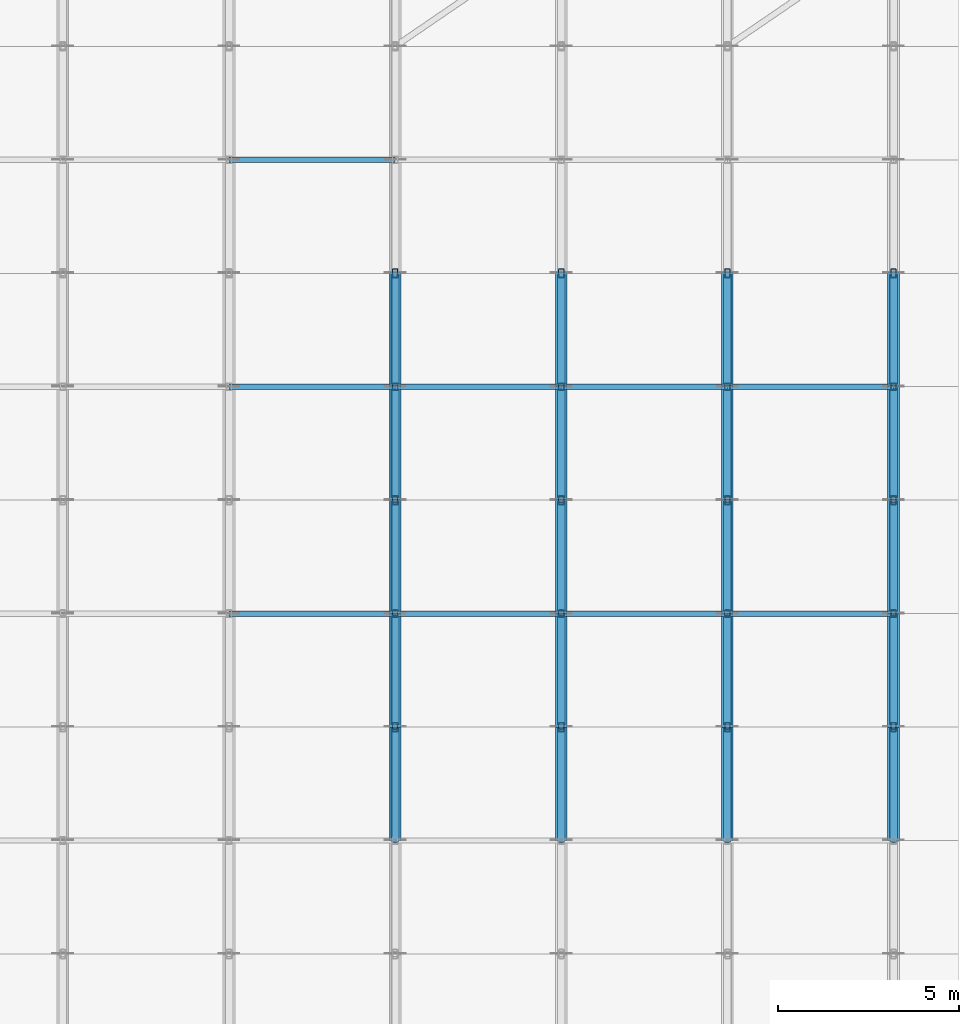
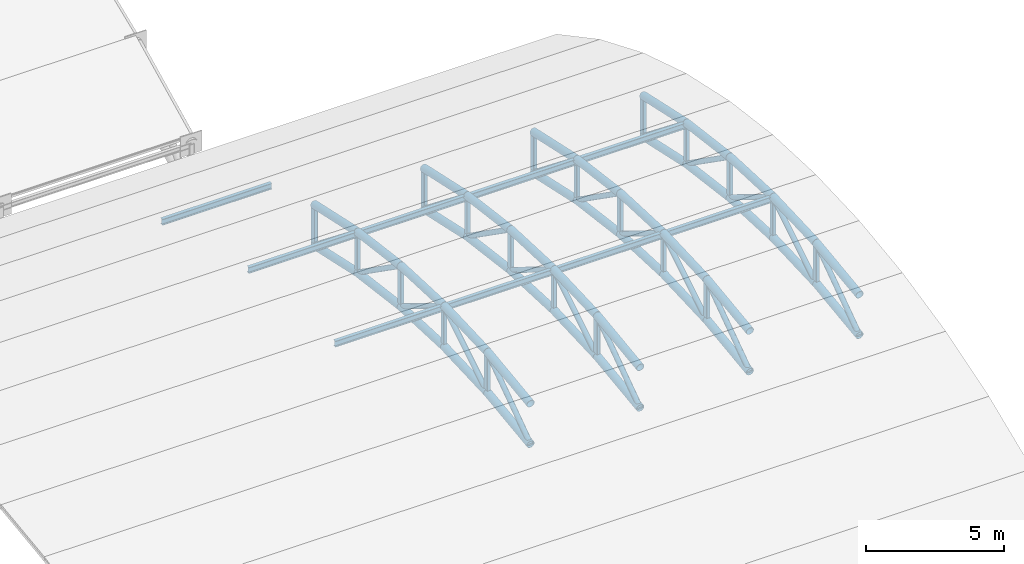
# One storey, part 44 of 98: 89 members.
"""IFC4 building model written with IfcOpenShell, lengths in metres."""

from ifc_helpers import new_model, si_unit, direction, frame, origin, origin_2d, place, context, subcontext, project, spatial, hollow_rectangle, hollow_circle, i_section, extrude, material, material_profile, profile_set, type_object, element, save


model = new_model("IFC4")

# Units and contexts
model_context = context("Model", 3, precision=1e-05, world=origin(), true_north=direction((0.0, 1.0)))
body_context = subcontext(model_context, "Body", "Model", "MODEL_VIEW")
ifc_project = project(units=[si_unit("LENGTHUNIT", "METRE"), si_unit("AREAUNIT", "SQUARE_METRE"), si_unit("VOLUMEUNIT", "CUBIC_METRE"), si_unit("PLANEANGLEUNIT", "RADIAN"), si_unit("MASSUNIT", "GRAM", prefix="KILO")], contexts=[model_context])

# Site, building, storey
site_placement = place(None, origin())
site = spatial("IfcSite", under=ifc_project, at=site_placement, CompositionType="ELEMENT")
building_placement = place(site_placement, origin())
building = spatial("IfcBuilding", under=site, at=building_placement, Name="Tlacozan Convention Centre", CompositionType="ELEMENT")
storey_placement = place(building_placement, frame((0.0, 0.0, 25.800048828125)))
storey = spatial("IfcBuildingStorey", under=building, at=storey_placement, Name="Roof", CompositionType="ELEMENT", Elevation=25.800048828125)

# Members
ifc_material_1 = material(Name="Steel ASTM A992 Grade 50", Category="steel")
ifc_material_profile_1 = material_profile(ifc_material_1, i_section(OverallWidth=0.14697265625, OverallDepth=0.261962890625, WebThickness=0.006591796875, FlangeThickness=0.01123046875, FilletRadius=0.008056640625, at=origin_2d()), Name="IR 254x38.5")
ifc_profile_set_1 = profile_set([ifc_material_profile_1], Name="Steel ASTM A992 Grade 50")
member_type_1 = type_object("IfcMemberType", Name="Plenary Acoustic Purlin IR 254x38.5", PredefinedType="PURLIN", material=ifc_profile_set_1)
for number, where, z_axis, x_axis, name in (
    (1, (159.800048828125, 37.35009765625, -1.6650390625), (1.0, 0.0, 0.0), (0.0, 1.0, 0.0), "V3A Roof Truss Purlin 4.7"),
    (2, (159.800048828125, 43.63330078125, -2.2060546875), (1.0, 0.0, 0.0), (0.0, 1.0, 0.0), "V3A Roof Truss Purlin 4.9"),
    (3, (159.800048828125, 49.916748046875, -3.87939453125), (1.0, 0.0, 0.0), (0.0, 1.0, 0.0), "V3A Roof Truss Purlin 4.11"),
):
    element("IfcMember", number, at=place(storey_placement, frame(where, z_axis=z_axis, x_axis=x_axis)), inside=storey, type_object=member_type_1, Name=name, PredefinedType="PURLIN", context=body_context, shape_type="SweptSolid", body=[
        extrude(i_section(OverallWidth=0.14697265625, OverallDepth=0.261962890625, WebThickness=0.006591796875, FlangeThickness=0.01123046875, FilletRadius=0.008056640625, at=origin_2d()), origin(), (0.0, 0.0, 1.0), 4.599853515625),
    ])
for number, where, z_axis, x_axis, name in (
    (4, (164.39990234375, 37.35009765625, -1.6650390625), (1.0, 0.0, 0.0), (0.0, 1.0, 0.0), "V3A Roof Truss Purlin 5.7"),
    (5, (164.39990234375, 43.63330078125, -2.2060546875), (1.0, 0.0, 0.0), (0.0, 1.0, 0.0), "V3A Roof Truss Purlin 5.9"),
    (6, (169.0, 37.35009765625, -1.6650390625), (1.0, 0.0, 0.0), (0.0, 1.0, 0.0), "V3A Roof Truss Purlin 6.7"),
    (7, (169.0, 43.63330078125, -2.2060546875), (1.0, 0.0, 0.0), (0.0, 1.0, 0.0), "V3A Roof Truss Purlin 6.9"),
):
    element("IfcMember", number, at=place(storey_placement, frame(where, z_axis=z_axis, x_axis=x_axis)), inside=storey, type_object=member_type_1, Name=name, PredefinedType="PURLIN", context=body_context, shape_type="SweptSolid", body=[
        extrude(i_section(OverallWidth=0.14697265625, OverallDepth=0.261962890625, WebThickness=0.006591796875, FlangeThickness=0.01123046875, FilletRadius=0.008056640625, at=origin_2d()), origin(), (0.0, 0.0, 1.0), 4.60009765625),
    ])
for number, where, z_axis, x_axis, name in (
    (8, (173.60009765625, 37.35009765625, -1.6650390625), (1.0, 0.0, 0.0), (0.0, 1.0, 0.0), "V3A Roof Truss Purlin 7.7"),
    (9, (173.60009765625, 43.63330078125, -2.2060546875), (1.0, 0.0, 0.0), (0.0, 1.0, 0.0), "V3A Roof Truss Purlin 7.9"),
):
    element("IfcMember", number, at=place(storey_placement, frame(where, z_axis=z_axis, x_axis=x_axis)), inside=storey, type_object=member_type_1, Name=name, PredefinedType="PURLIN", context=body_context, shape_type="SweptSolid", body=[
        extrude(i_section(OverallWidth=0.14697265625, OverallDepth=0.261962890625, WebThickness=0.006591796875, FlangeThickness=0.01123046875, FilletRadius=0.008056640625, at=origin_2d()), origin(), (0.0, 0.0, 1.0), 4.599853515625),
    ])
ifc_material_2 = material(Name="Steel ASTM A500 Grade C", Category="steel")
ifc_material_profile_2 = material_profile(ifc_material_2, hollow_circle(Radius=0.161865234375, WallThickness=0.0126953125, at=origin_2d()), Name="OC 323.9x12.7")
ifc_profile_set_2 = profile_set([ifc_material_profile_2], Name="Steel ASTM A500 Grade C")
member_type_2 = type_object("IfcMemberType", Name="Plenary Arch Chord OC 323.9x12.7", PredefinedType="CHORD", material=ifc_profile_set_2)
for number, where, z_axis, x_axis, name in (
    (10, (164.39990234375, 31.066650390625, -2.140869140625), (0.0, 0.991742488427, 0.12824522076), (-1.0, 0.0, 0.0), "V3A Roof Truss 5 Top Chord 5"),
    (11, (164.39990234375, 31.066650390625, -3.94091796875), (0.0, 0.991742488427, 0.12824522076), (-1.0, 0.0, 0.0), "V3A Roof Truss 5 Bottom Chord 5"),
):
    element("IfcMember", number, at=place(storey_placement, frame(where, z_axis=z_axis, x_axis=x_axis)), inside=storey, type_object=member_type_2, Name=name, PredefinedType="CHORD", context=body_context, shape_type="SweptSolid", body=[
        extrude(hollow_circle(Radius=0.161865234375, WallThickness=0.0126953125, at=origin_2d()), origin(), (0.0, 0.0, 1.0), 3.167724609375),
    ])
for number, where, z_axis, x_axis, name in (
    (12, (164.39990234375, 34.208251953125, -1.734619140625), (0.0, 0.999084650424, 0.042776877953), (-1.0, 0.0, 0.0), "V3A Roof Truss 5 Top Chord 6"),
    (13, (164.39990234375, 34.208251953125, -3.53466796875), (0.0, 0.999084650424, 0.042776877953), (-1.0, 0.0, 0.0), "V3A Roof Truss 5 Bottom Chord 6"),
):
    element("IfcMember", number, at=place(storey_placement, frame(where, z_axis=z_axis, x_axis=x_axis)), inside=storey, type_object=member_type_2, Name=name, PredefinedType="CHORD", context=body_context, shape_type="SweptSolid", body=[
        extrude(hollow_circle(Radius=0.161865234375, WallThickness=0.0126953125, at=origin_2d()), origin(), (0.0, 0.0, 1.0), 3.144775390625),
    ])
for number, where, z_axis, x_axis, name in (
    (14, (164.39990234375, 37.35009765625, -1.60009765625), (0.0, 0.999084508346, -0.042780196153), (-1.0, 0.0, 0.0), "V3A Roof Truss 5 Top Chord 7"),
    (15, (164.39990234375, 37.35009765625, -3.400146484375), (0.0, 0.999084508346, -0.042780196153), (-1.0, 0.0, 0.0), "V3A Roof Truss 5 Bottom Chord 7"),
):
    element("IfcMember", number, at=place(storey_placement, frame(where, z_axis=z_axis, x_axis=x_axis)), inside=storey, type_object=member_type_2, Name=name, PredefinedType="CHORD", context=body_context, shape_type="SweptSolid", body=[
        extrude(hollow_circle(Radius=0.161865234375, WallThickness=0.0126953125, at=origin_2d()), origin(), (0.0, 0.0, 1.0), 3.14453125),
    ])
for number, where, z_axis, x_axis, name in (
    (16, (164.39990234375, 40.49169921875, -1.734619140625), (0.0, 0.991742488427, -0.12824522076), (-1.0, 0.0, 0.0), "V3A Roof Truss 5 Top Chord 8"),
    (17, (164.39990234375, 40.49169921875, -3.53466796875), (0.0, 0.991742488427, -0.12824522076), (-1.0, 0.0, 0.0), "V3A Roof Truss 5 Bottom Chord 8"),
):
    element("IfcMember", number, at=place(storey_placement, frame(where, z_axis=z_axis, x_axis=x_axis)), inside=storey, type_object=member_type_2, Name=name, PredefinedType="CHORD", context=body_context, shape_type="SweptSolid", body=[
        extrude(hollow_circle(Radius=0.161865234375, WallThickness=0.0126953125, at=origin_2d()), origin(), (0.0, 0.0, 1.0), 3.167724609375),
    ])
for number, where, z_axis, x_axis, name in (
    (18, (164.39990234375, 43.63330078125, -2.140869140625), (0.0, 0.976866328427, -0.213850827415), (-1.0, 0.0, 0.0), "V3A Roof Truss 5 Top Chord 9"),
    (19, (164.39990234375, 43.63330078125, -3.94091796875), (0.0, 0.976866328427, -0.213850827415), (-1.0, 0.0, 0.0), "V3A Roof Truss 5 Bottom Chord 9"),
):
    element("IfcMember", number, at=place(storey_placement, frame(where, z_axis=z_axis, x_axis=x_axis)), inside=storey, type_object=member_type_2, Name=name, PredefinedType="CHORD", context=body_context, shape_type="SweptSolid", body=[
        extrude(hollow_circle(Radius=0.161865234375, WallThickness=0.0126953125, at=origin_2d()), origin(), (0.0, 0.0, 1.0), 3.216064453125),
    ])
for number, where, z_axis, x_axis, name in (
    (20, (169.0, 31.066650390625, -2.140869140625), (0.0, 0.991742488427, 0.12824522076), (-1.0, 0.0, 0.0), "V3A Roof Truss 6 Top Chord 5"),
    (21, (169.0, 31.066650390625, -3.94091796875), (0.0, 0.991742488427, 0.12824522076), (-1.0, 0.0, 0.0), "V3A Roof Truss 6 Bottom Chord 5"),
):
    element("IfcMember", number, at=place(storey_placement, frame(where, z_axis=z_axis, x_axis=x_axis)), inside=storey, type_object=member_type_2, Name=name, PredefinedType="CHORD", context=body_context, shape_type="SweptSolid", body=[
        extrude(hollow_circle(Radius=0.161865234375, WallThickness=0.0126953125, at=origin_2d()), origin(), (0.0, 0.0, 1.0), 3.167724609375),
    ])
for number, where, z_axis, x_axis, name in (
    (22, (169.0, 34.208251953125, -1.734619140625), (0.0, 0.999084650424, 0.042776877953), (-1.0, 0.0, 0.0), "V3A Roof Truss 6 Top Chord 6"),
    (23, (169.0, 34.208251953125, -3.53466796875), (0.0, 0.999084650424, 0.042776877953), (-1.0, 0.0, 0.0), "V3A Roof Truss 6 Bottom Chord 6"),
):
    element("IfcMember", number, at=place(storey_placement, frame(where, z_axis=z_axis, x_axis=x_axis)), inside=storey, type_object=member_type_2, Name=name, PredefinedType="CHORD", context=body_context, shape_type="SweptSolid", body=[
        extrude(hollow_circle(Radius=0.161865234375, WallThickness=0.0126953125, at=origin_2d()), origin(), (0.0, 0.0, 1.0), 3.144775390625),
    ])
for number, where, z_axis, x_axis, name in (
    (24, (169.0, 37.35009765625, -1.60009765625), (0.0, 0.999084508346, -0.042780196153), (-1.0, 0.0, 0.0), "V3A Roof Truss 6 Top Chord 7"),
    (25, (169.0, 37.35009765625, -3.400146484375), (0.0, 0.999084508346, -0.042780196153), (-1.0, 0.0, 0.0), "V3A Roof Truss 6 Bottom Chord 7"),
):
    element("IfcMember", number, at=place(storey_placement, frame(where, z_axis=z_axis, x_axis=x_axis)), inside=storey, type_object=member_type_2, Name=name, PredefinedType="CHORD", context=body_context, shape_type="SweptSolid", body=[
        extrude(hollow_circle(Radius=0.161865234375, WallThickness=0.0126953125, at=origin_2d()), origin(), (0.0, 0.0, 1.0), 3.14453125),
    ])
for number, where, z_axis, x_axis, name in (
    (26, (169.0, 40.49169921875, -1.734619140625), (0.0, 0.991742488427, -0.12824522076), (-1.0, 0.0, 0.0), "V3A Roof Truss 6 Top Chord 8"),
    (27, (169.0, 40.49169921875, -3.53466796875), (0.0, 0.991742488427, -0.12824522076), (-1.0, 0.0, 0.0), "V3A Roof Truss 6 Bottom Chord 8"),
):
    element("IfcMember", number, at=place(storey_placement, frame(where, z_axis=z_axis, x_axis=x_axis)), inside=storey, type_object=member_type_2, Name=name, PredefinedType="CHORD", context=body_context, shape_type="SweptSolid", body=[
        extrude(hollow_circle(Radius=0.161865234375, WallThickness=0.0126953125, at=origin_2d()), origin(), (0.0, 0.0, 1.0), 3.167724609375),
    ])
for number, where, z_axis, x_axis, name in (
    (28, (169.0, 43.63330078125, -2.140869140625), (0.0, 0.976866328427, -0.213850827415), (-1.0, 0.0, 0.0), "V3A Roof Truss 6 Top Chord 9"),
    (29, (169.0, 43.63330078125, -3.94091796875), (0.0, 0.976866328427, -0.213850827415), (-1.0, 0.0, 0.0), "V3A Roof Truss 6 Bottom Chord 9"),
):
    element("IfcMember", number, at=place(storey_placement, frame(where, z_axis=z_axis, x_axis=x_axis)), inside=storey, type_object=member_type_2, Name=name, PredefinedType="CHORD", context=body_context, shape_type="SweptSolid", body=[
        extrude(hollow_circle(Radius=0.161865234375, WallThickness=0.0126953125, at=origin_2d()), origin(), (0.0, 0.0, 1.0), 3.216064453125),
    ])
for number, where, z_axis, x_axis, name in (
    (30, (173.60009765625, 31.066650390625, -2.140869140625), (0.0, 0.991742488427, 0.12824522076), (-1.0, 0.0, 0.0), "V3A Roof Truss 7 Top Chord 5"),
    (31, (173.60009765625, 31.066650390625, -3.94091796875), (0.0, 0.991742488427, 0.12824522076), (-1.0, 0.0, 0.0), "V3A Roof Truss 7 Bottom Chord 5"),
):
    element("IfcMember", number, at=place(storey_placement, frame(where, z_axis=z_axis, x_axis=x_axis)), inside=storey, type_object=member_type_2, Name=name, PredefinedType="CHORD", context=body_context, shape_type="SweptSolid", body=[
        extrude(hollow_circle(Radius=0.161865234375, WallThickness=0.0126953125, at=origin_2d()), origin(), (0.0, 0.0, 1.0), 3.167724609375),
    ])
for number, where, z_axis, x_axis, name in (
    (32, (173.60009765625, 34.208251953125, -1.734619140625), (0.0, 0.999084650424, 0.042776877953), (-1.0, 0.0, 0.0), "V3A Roof Truss 7 Top Chord 6"),
    (33, (173.60009765625, 34.208251953125, -3.53466796875), (0.0, 0.999084650424, 0.042776877953), (-1.0, 0.0, 0.0), "V3A Roof Truss 7 Bottom Chord 6"),
):
    element("IfcMember", number, at=place(storey_placement, frame(where, z_axis=z_axis, x_axis=x_axis)), inside=storey, type_object=member_type_2, Name=name, PredefinedType="CHORD", context=body_context, shape_type="SweptSolid", body=[
        extrude(hollow_circle(Radius=0.161865234375, WallThickness=0.0126953125, at=origin_2d()), origin(), (0.0, 0.0, 1.0), 3.144775390625),
    ])
for number, where, z_axis, x_axis, name in (
    (34, (173.60009765625, 37.35009765625, -1.60009765625), (0.0, 0.999084508346, -0.042780196153), (-1.0, 0.0, 0.0), "V3A Roof Truss 7 Top Chord 7"),
    (35, (173.60009765625, 37.35009765625, -3.400146484375), (0.0, 0.999084508346, -0.042780196153), (-1.0, 0.0, 0.0), "V3A Roof Truss 7 Bottom Chord 7"),
):
    element("IfcMember", number, at=place(storey_placement, frame(where, z_axis=z_axis, x_axis=x_axis)), inside=storey, type_object=member_type_2, Name=name, PredefinedType="CHORD", context=body_context, shape_type="SweptSolid", body=[
        extrude(hollow_circle(Radius=0.161865234375, WallThickness=0.0126953125, at=origin_2d()), origin(), (0.0, 0.0, 1.0), 3.14453125),
    ])
for number, where, z_axis, x_axis, name in (
    (36, (173.60009765625, 40.49169921875, -1.734619140625), (0.0, 0.991742488427, -0.12824522076), (-1.0, 0.0, 0.0), "V3A Roof Truss 7 Top Chord 8"),
    (37, (173.60009765625, 40.49169921875, -3.53466796875), (0.0, 0.991742488427, -0.12824522076), (-1.0, 0.0, 0.0), "V3A Roof Truss 7 Bottom Chord 8"),
):
    element("IfcMember", number, at=place(storey_placement, frame(where, z_axis=z_axis, x_axis=x_axis)), inside=storey, type_object=member_type_2, Name=name, PredefinedType="CHORD", context=body_context, shape_type="SweptSolid", body=[
        extrude(hollow_circle(Radius=0.161865234375, WallThickness=0.0126953125, at=origin_2d()), origin(), (0.0, 0.0, 1.0), 3.167724609375),
    ])
for number, where, z_axis, x_axis, name in (
    (38, (173.60009765625, 43.63330078125, -2.140869140625), (0.0, 0.976866328427, -0.213850827415), (-1.0, 0.0, 0.0), "V3A Roof Truss 7 Top Chord 9"),
    (39, (173.60009765625, 43.63330078125, -3.94091796875), (0.0, 0.976866328427, -0.213850827415), (-1.0, 0.0, 0.0), "V3A Roof Truss 7 Bottom Chord 9"),
):
    element("IfcMember", number, at=place(storey_placement, frame(where, z_axis=z_axis, x_axis=x_axis)), inside=storey, type_object=member_type_2, Name=name, PredefinedType="CHORD", context=body_context, shape_type="SweptSolid", body=[
        extrude(hollow_circle(Radius=0.161865234375, WallThickness=0.0126953125, at=origin_2d()), origin(), (0.0, 0.0, 1.0), 3.216064453125),
    ])
for number, where, z_axis, x_axis, name in (
    (40, (178.199951171875, 31.066650390625, -2.140869140625), (0.0, 0.991742488427, 0.12824522076), (-1.0, 0.0, 0.0), "V3A Roof Truss 8 Top Chord 5"),
    (41, (178.199951171875, 31.066650390625, -3.94091796875), (0.0, 0.991742488427, 0.12824522076), (-1.0, 0.0, 0.0), "V3A Roof Truss 8 Bottom Chord 5"),
):
    element("IfcMember", number, at=place(storey_placement, frame(where, z_axis=z_axis, x_axis=x_axis)), inside=storey, type_object=member_type_2, Name=name, PredefinedType="CHORD", context=body_context, shape_type="SweptSolid", body=[
        extrude(hollow_circle(Radius=0.161865234375, WallThickness=0.0126953125, at=origin_2d()), origin(), (0.0, 0.0, 1.0), 3.167724609375),
    ])
for number, where, z_axis, x_axis, name in (
    (42, (178.199951171875, 34.208251953125, -1.734619140625), (0.0, 0.999084650424, 0.042776877953), (-1.0, 0.0, 0.0), "V3A Roof Truss 8 Top Chord 6"),
    (43, (178.199951171875, 34.208251953125, -3.53466796875), (0.0, 0.999084650424, 0.042776877953), (-1.0, 0.0, 0.0), "V3A Roof Truss 8 Bottom Chord 6"),
):
    element("IfcMember", number, at=place(storey_placement, frame(where, z_axis=z_axis, x_axis=x_axis)), inside=storey, type_object=member_type_2, Name=name, PredefinedType="CHORD", context=body_context, shape_type="SweptSolid", body=[
        extrude(hollow_circle(Radius=0.161865234375, WallThickness=0.0126953125, at=origin_2d()), origin(), (0.0, 0.0, 1.0), 3.144775390625),
    ])
for number, where, z_axis, x_axis, name in (
    (44, (178.199951171875, 37.35009765625, -1.60009765625), (0.0, 0.999084508346, -0.042780196153), (-1.0, 0.0, 0.0), "V3A Roof Truss 8 Top Chord 7"),
    (45, (178.199951171875, 37.35009765625, -3.400146484375), (0.0, 0.999084508346, -0.042780196153), (-1.0, 0.0, 0.0), "V3A Roof Truss 8 Bottom Chord 7"),
):
    element("IfcMember", number, at=place(storey_placement, frame(where, z_axis=z_axis, x_axis=x_axis)), inside=storey, type_object=member_type_2, Name=name, PredefinedType="CHORD", context=body_context, shape_type="SweptSolid", body=[
        extrude(hollow_circle(Radius=0.161865234375, WallThickness=0.0126953125, at=origin_2d()), origin(), (0.0, 0.0, 1.0), 3.14453125),
    ])
for number, where, z_axis, x_axis, name in (
    (46, (178.199951171875, 40.49169921875, -1.734619140625), (0.0, 0.991742488427, -0.12824522076), (-1.0, 0.0, 0.0), "V3A Roof Truss 8 Top Chord 8"),
    (47, (178.199951171875, 40.49169921875, -3.53466796875), (0.0, 0.991742488427, -0.12824522076), (-1.0, 0.0, 0.0), "V3A Roof Truss 8 Bottom Chord 8"),
):
    element("IfcMember", number, at=place(storey_placement, frame(where, z_axis=z_axis, x_axis=x_axis)), inside=storey, type_object=member_type_2, Name=name, PredefinedType="CHORD", context=body_context, shape_type="SweptSolid", body=[
        extrude(hollow_circle(Radius=0.161865234375, WallThickness=0.0126953125, at=origin_2d()), origin(), (0.0, 0.0, 1.0), 3.167724609375),
    ])
for number, where, z_axis, x_axis, name in (
    (48, (178.199951171875, 43.63330078125, -2.140869140625), (0.0, 0.976866328427, -0.213850827415), (-1.0, 0.0, 0.0), "V3A Roof Truss 8 Top Chord 9"),
    (49, (178.199951171875, 43.63330078125, -3.94091796875), (0.0, 0.976866328427, -0.213850827415), (-1.0, 0.0, 0.0), "V3A Roof Truss 8 Bottom Chord 9"),
):
    element("IfcMember", number, at=place(storey_placement, frame(where, z_axis=z_axis, x_axis=x_axis)), inside=storey, type_object=member_type_2, Name=name, PredefinedType="CHORD", context=body_context, shape_type="SweptSolid", body=[
        extrude(hollow_circle(Radius=0.161865234375, WallThickness=0.0126953125, at=origin_2d()), origin(), (0.0, 0.0, 1.0), 3.216064453125),
    ])
ifc_material_profile_3 = material_profile(ifc_material_2, hollow_circle(Radius=0.109619140625, WallThickness=0.009521484375, at=origin_2d()), Name="OC 219.1x9.5")
ifc_profile_set_3 = profile_set([ifc_material_profile_3], Name="Steel ASTM A500 Grade C")
member_type_3 = type_object("IfcMemberType", Name="Plenary Web Diagonal OC 219.1x9.5", PredefinedType="BRACE", material=ifc_profile_set_3)
member_1_placement = place(storey_placement, frame((164.39990234375, 31.066650390625, -3.94091796875), z_axis=(0.0, 0.818352567216, 0.574716517713), x_axis=(-1.0, 0.0, 0.0)))
element("IfcMember", 50, at=member_1_placement, inside=storey, type_object=member_type_3, Name="V3A Roof Truss 5 Web Diagonal 5", PredefinedType="BRACE", context=body_context, shape_type="SweptSolid", body=[
    extrude(hollow_circle(Radius=0.109619140625, WallThickness=0.009521484375, at=origin_2d()), origin(), (0.0, 0.0, 1.0), 3.8388671875),
])
member_2_placement = place(storey_placement, frame((164.39990234375, 34.208251953125, -3.53466796875), z_axis=(0.0, 0.851521975181, 0.524318916103), x_axis=(-1.0, 0.0, 0.0)))
element("IfcMember", 51, at=member_2_placement, inside=storey, type_object=member_type_3, Name="V3A Roof Truss 5 Web Diagonal 6", PredefinedType="BRACE", context=body_context, shape_type="SweptSolid", body=[
    extrude(hollow_circle(Radius=0.109619140625, WallThickness=0.009521484375, at=origin_2d()), origin(), (0.0, 0.0, 1.0), 3.689697265625),
])
member_3_placement = place(storey_placement, frame((164.39990234375, 37.35009765625, -1.60009765625), z_axis=(0.0, 0.851503783249, -0.524348459626), x_axis=(-1.0, 0.0, 0.0)))
element("IfcMember", 52, at=member_3_placement, inside=storey, type_object=member_type_3, Name="V3A Roof Truss 5 Web Diagonal 7", PredefinedType="BRACE", context=body_context, shape_type="SweptSolid", body=[
    extrude(hollow_circle(Radius=0.109619140625, WallThickness=0.009521484375, at=origin_2d()), origin(), (0.0, 0.0, 1.0), 3.689453125),
])
member_4_placement = place(storey_placement, frame((164.39990234375, 40.49169921875, -1.734619140625), z_axis=(0.0, 0.818352567216, -0.574716517713), x_axis=(-1.0, 0.0, 0.0)))
element("IfcMember", 53, at=member_4_placement, inside=storey, type_object=member_type_3, Name="V3A Roof Truss 5 Web Diagonal 8", PredefinedType="BRACE", context=body_context, shape_type="SweptSolid", body=[
    extrude(hollow_circle(Radius=0.109619140625, WallThickness=0.009521484375, at=origin_2d()), origin(), (0.0, 0.0, 1.0), 3.8388671875),
])
member_5_placement = place(storey_placement, frame((164.39990234375, 43.63330078125, -2.140869140625), z_axis=(0.0, 0.783961811964, -0.620809050661), x_axis=(-1.0, 0.0, 0.0)))
element("IfcMember", 54, at=member_5_placement, inside=storey, type_object=member_type_3, Name="V3A Roof Truss 5 Web Diagonal 9", PredefinedType="BRACE", context=body_context, shape_type="SweptSolid", body=[
    extrude(hollow_circle(Radius=0.109619140625, WallThickness=0.009521484375, at=origin_2d()), origin(), (0.0, 0.0, 1.0), 4.00732421875),
])
member_6_placement = place(storey_placement, frame((169.0, 31.066650390625, -3.94091796875), z_axis=(0.0, 0.818352567216, 0.574716517713), x_axis=(-1.0, 0.0, 0.0)))
element("IfcMember", 55, at=member_6_placement, inside=storey, type_object=member_type_3, Name="V3A Roof Truss 6 Web Diagonal 5", PredefinedType="BRACE", context=body_context, shape_type="SweptSolid", body=[
    extrude(hollow_circle(Radius=0.109619140625, WallThickness=0.009521484375, at=origin_2d()), origin(), (0.0, 0.0, 1.0), 3.8388671875),
])
member_7_placement = place(storey_placement, frame((169.0, 34.208251953125, -3.53466796875), z_axis=(0.0, 0.851521975181, 0.524318916103), x_axis=(-1.0, 0.0, 0.0)))
element("IfcMember", 56, at=member_7_placement, inside=storey, type_object=member_type_3, Name="V3A Roof Truss 6 Web Diagonal 6", PredefinedType="BRACE", context=body_context, shape_type="SweptSolid", body=[
    extrude(hollow_circle(Radius=0.109619140625, WallThickness=0.009521484375, at=origin_2d()), origin(), (0.0, 0.0, 1.0), 3.689697265625),
])
member_8_placement = place(storey_placement, frame((169.0, 37.35009765625, -1.60009765625), z_axis=(0.0, 0.851503783249, -0.524348459626), x_axis=(-1.0, 0.0, 0.0)))
element("IfcMember", 57, at=member_8_placement, inside=storey, type_object=member_type_3, Name="V3A Roof Truss 6 Web Diagonal 7", PredefinedType="BRACE", context=body_context, shape_type="SweptSolid", body=[
    extrude(hollow_circle(Radius=0.109619140625, WallThickness=0.009521484375, at=origin_2d()), origin(), (0.0, 0.0, 1.0), 3.689453125),
])
member_9_placement = place(storey_placement, frame((169.0, 40.49169921875, -1.734619140625), z_axis=(0.0, 0.818352567216, -0.574716517713), x_axis=(-1.0, 0.0, 0.0)))
element("IfcMember", 58, at=member_9_placement, inside=storey, type_object=member_type_3, Name="V3A Roof Truss 6 Web Diagonal 8", PredefinedType="BRACE", context=body_context, shape_type="SweptSolid", body=[
    extrude(hollow_circle(Radius=0.109619140625, WallThickness=0.009521484375, at=origin_2d()), origin(), (0.0, 0.0, 1.0), 3.8388671875),
])
member_10_placement = place(storey_placement, frame((169.0, 43.63330078125, -2.140869140625), z_axis=(0.0, 0.783961811964, -0.620809050661), x_axis=(-1.0, 0.0, 0.0)))
element("IfcMember", 59, at=member_10_placement, inside=storey, type_object=member_type_3, Name="V3A Roof Truss 6 Web Diagonal 9", PredefinedType="BRACE", context=body_context, shape_type="SweptSolid", body=[
    extrude(hollow_circle(Radius=0.109619140625, WallThickness=0.009521484375, at=origin_2d()), origin(), (0.0, 0.0, 1.0), 4.00732421875),
])
member_11_placement = place(storey_placement, frame((173.60009765625, 31.066650390625, -3.94091796875), z_axis=(0.0, 0.818352567216, 0.574716517713), x_axis=(-1.0, 0.0, 0.0)))
element("IfcMember", 60, at=member_11_placement, inside=storey, type_object=member_type_3, Name="V3A Roof Truss 7 Web Diagonal 5", PredefinedType="BRACE", context=body_context, shape_type="SweptSolid", body=[
    extrude(hollow_circle(Radius=0.109619140625, WallThickness=0.009521484375, at=origin_2d()), origin(), (0.0, 0.0, 1.0), 3.8388671875),
])
member_12_placement = place(storey_placement, frame((173.60009765625, 34.208251953125, -3.53466796875), z_axis=(0.0, 0.851521975181, 0.524318916103), x_axis=(-1.0, 0.0, 0.0)))
element("IfcMember", 61, at=member_12_placement, inside=storey, type_object=member_type_3, Name="V3A Roof Truss 7 Web Diagonal 6", PredefinedType="BRACE", context=body_context, shape_type="SweptSolid", body=[
    extrude(hollow_circle(Radius=0.109619140625, WallThickness=0.009521484375, at=origin_2d()), origin(), (0.0, 0.0, 1.0), 3.689697265625),
])
member_13_placement = place(storey_placement, frame((173.60009765625, 37.35009765625, -1.60009765625), z_axis=(0.0, 0.851503783249, -0.524348459626), x_axis=(-1.0, 0.0, 0.0)))
element("IfcMember", 62, at=member_13_placement, inside=storey, type_object=member_type_3, Name="V3A Roof Truss 7 Web Diagonal 7", PredefinedType="BRACE", context=body_context, shape_type="SweptSolid", body=[
    extrude(hollow_circle(Radius=0.109619140625, WallThickness=0.009521484375, at=origin_2d()), origin(), (0.0, 0.0, 1.0), 3.689453125),
])
member_14_placement = place(storey_placement, frame((173.60009765625, 40.49169921875, -1.734619140625), z_axis=(0.0, 0.818352567216, -0.574716517713), x_axis=(-1.0, 0.0, 0.0)))
element("IfcMember", 63, at=member_14_placement, inside=storey, type_object=member_type_3, Name="V3A Roof Truss 7 Web Diagonal 8", PredefinedType="BRACE", context=body_context, shape_type="SweptSolid", body=[
    extrude(hollow_circle(Radius=0.109619140625, WallThickness=0.009521484375, at=origin_2d()), origin(), (0.0, 0.0, 1.0), 3.8388671875),
])
member_15_placement = place(storey_placement, frame((173.60009765625, 43.63330078125, -2.140869140625), z_axis=(0.0, 0.783961811964, -0.620809050661), x_axis=(-1.0, 0.0, 0.0)))
element("IfcMember", 64, at=member_15_placement, inside=storey, type_object=member_type_3, Name="V3A Roof Truss 7 Web Diagonal 9", PredefinedType="BRACE", context=body_context, shape_type="SweptSolid", body=[
    extrude(hollow_circle(Radius=0.109619140625, WallThickness=0.009521484375, at=origin_2d()), origin(), (0.0, 0.0, 1.0), 4.00732421875),
])
member_16_placement = place(storey_placement, frame((178.199951171875, 31.066650390625, -3.94091796875), z_axis=(0.0, 0.818352567216, 0.574716517713), x_axis=(-1.0, 0.0, 0.0)))
element("IfcMember", 65, at=member_16_placement, inside=storey, type_object=member_type_3, Name="V3A Roof Truss 8 Web Diagonal 5", PredefinedType="BRACE", context=body_context, shape_type="SweptSolid", body=[
    extrude(hollow_circle(Radius=0.109619140625, WallThickness=0.009521484375, at=origin_2d()), origin(), (0.0, 0.0, 1.0), 3.8388671875),
])
member_17_placement = place(storey_placement, frame((178.199951171875, 34.208251953125, -3.53466796875), z_axis=(0.0, 0.851521975181, 0.524318916103), x_axis=(-1.0, 0.0, 0.0)))
element("IfcMember", 66, at=member_17_placement, inside=storey, type_object=member_type_3, Name="V3A Roof Truss 8 Web Diagonal 6", PredefinedType="BRACE", context=body_context, shape_type="SweptSolid", body=[
    extrude(hollow_circle(Radius=0.109619140625, WallThickness=0.009521484375, at=origin_2d()), origin(), (0.0, 0.0, 1.0), 3.689697265625),
])
member_18_placement = place(storey_placement, frame((178.199951171875, 37.35009765625, -1.60009765625), z_axis=(0.0, 0.851503783249, -0.524348459626), x_axis=(-1.0, 0.0, 0.0)))
element("IfcMember", 67, at=member_18_placement, inside=storey, type_object=member_type_3, Name="V3A Roof Truss 8 Web Diagonal 7", PredefinedType="BRACE", context=body_context, shape_type="SweptSolid", body=[
    extrude(hollow_circle(Radius=0.109619140625, WallThickness=0.009521484375, at=origin_2d()), origin(), (0.0, 0.0, 1.0), 3.689453125),
])
member_19_placement = place(storey_placement, frame((178.199951171875, 40.49169921875, -1.734619140625), z_axis=(0.0, 0.818352567216, -0.574716517713), x_axis=(-1.0, 0.0, 0.0)))
element("IfcMember", 68, at=member_19_placement, inside=storey, type_object=member_type_3, Name="V3A Roof Truss 8 Web Diagonal 8", PredefinedType="BRACE", context=body_context, shape_type="SweptSolid", body=[
    extrude(hollow_circle(Radius=0.109619140625, WallThickness=0.009521484375, at=origin_2d()), origin(), (0.0, 0.0, 1.0), 3.8388671875),
])
member_20_placement = place(storey_placement, frame((178.199951171875, 43.63330078125, -2.140869140625), z_axis=(0.0, 0.783961811964, -0.620809050661), x_axis=(-1.0, 0.0, 0.0)))
element("IfcMember", 69, at=member_20_placement, inside=storey, type_object=member_type_3, Name="V3A Roof Truss 8 Web Diagonal 9", PredefinedType="BRACE", context=body_context, shape_type="SweptSolid", body=[
    extrude(hollow_circle(Radius=0.109619140625, WallThickness=0.009521484375, at=origin_2d()), origin(), (0.0, 0.0, 1.0), 4.00732421875),
])
ifc_material_profile_4 = material_profile(ifc_material_2, hollow_rectangle(XDim=0.15234375, YDim=0.203125, WallThickness=0.009521484375, InnerFilletRadius=0.009521484375, OuterFilletRadius=0.01904296875, at=origin_2d()), Name="OR 203x152x9.5")
ifc_profile_set_4 = profile_set([ifc_material_profile_4], Name="Steel ASTM A500 Grade C")
member_type_4 = type_object("IfcMemberType", Name="Plenary Web Strut OR 203x152x9.5", PredefinedType="STRUT", material=ifc_profile_set_4)
for number, where, z_axis, x_axis, name in (
    (70, (164.39990234375, 37.35009765625, -3.400146484375), (0.0, 0.0, 1.0), (1.0, 0.0, 0.0), "V3A Roof Truss 5 Vertical Strut 7"),
    (71, (164.39990234375, 43.63330078125, -3.94091796875), (0.0, 0.0, 1.0), (1.0, 0.0, 0.0), "V3A Roof Truss 5 Vertical Strut 9"),
    (72, (169.0, 37.35009765625, -3.400146484375), (0.0, 0.0, 1.0), (1.0, 0.0, 0.0), "V3A Roof Truss 6 Vertical Strut 7"),
    (73, (169.0, 43.63330078125, -3.94091796875), (0.0, 0.0, 1.0), (1.0, 0.0, 0.0), "V3A Roof Truss 6 Vertical Strut 9"),
    (74, (173.60009765625, 37.35009765625, -3.400146484375), (0.0, 0.0, 1.0), (1.0, 0.0, 0.0), "V3A Roof Truss 7 Vertical Strut 7"),
    (75, (173.60009765625, 43.63330078125, -3.94091796875), (0.0, 0.0, 1.0), (1.0, 0.0, 0.0), "V3A Roof Truss 7 Vertical Strut 9"),
    (76, (178.199951171875, 37.35009765625, -3.400146484375), (0.0, 0.0, 1.0), (1.0, 0.0, 0.0), "V3A Roof Truss 8 Vertical Strut 7"),
    (77, (178.199951171875, 43.63330078125, -3.94091796875), (0.0, 0.0, 1.0), (1.0, 0.0, 0.0), "V3A Roof Truss 8 Vertical Strut 9"),
):
    element("IfcMember", number, at=place(storey_placement, frame(where, z_axis=z_axis, x_axis=x_axis)), inside=storey, type_object=member_type_4, Name=name, PredefinedType="STRUT", context=body_context, shape_type="SweptSolid", body=[
        extrude(hollow_rectangle(XDim=0.15234375, YDim=0.203125, WallThickness=0.009521484375, InnerFilletRadius=0.009521484375, OuterFilletRadius=0.01904296875, at=origin_2d()), origin(), (0.0, 0.0, 1.0), 1.800048828125),
    ])
ifc_material_profile_5 = material_profile(ifc_material_2, hollow_rectangle(XDim=0.15234375, YDim=0.25390625, WallThickness=0.0126953125, InnerFilletRadius=0.0126953125, OuterFilletRadius=0.02490234375, at=origin_2d()), Name="OR 254x152x12.7")
ifc_profile_set_5 = profile_set([ifc_material_profile_5], Name="Steel ASTM A500 Grade C")
member_type_5 = type_object("IfcMemberType", Name="Truss Secondary Strut OR 254x152x12.7", PredefinedType="STRUT", material=ifc_profile_set_5)
for number, where, z_axis, x_axis, name in (
    (78, (164.39990234375, 34.208251953125, -3.53466796875), (0.0, 0.0, 1.0), (1.0, 0.0, 0.0), "V3A Roof Truss 5 Vertical Strut 6"),
    (79, (164.39990234375, 40.49169921875, -3.53466796875), (0.0, 0.0, 1.0), (1.0, 0.0, 0.0), "V3A Roof Truss 5 Vertical Strut 8"),
    (80, (164.39990234375, 46.77490234375, -4.628662109375), (0.0, 0.0, 1.0), (1.0, 0.0, 0.0), "V3A Roof Truss 5 Vertical Strut 10"),
    (81, (169.0, 34.208251953125, -3.53466796875), (0.0, 0.0, 1.0), (1.0, 0.0, 0.0), "V3A Roof Truss 6 Vertical Strut 6"),
    (82, (169.0, 40.49169921875, -3.53466796875), (0.0, 0.0, 1.0), (1.0, 0.0, 0.0), "V3A Roof Truss 6 Vertical Strut 8"),
    (83, (169.0, 46.77490234375, -4.628662109375), (0.0, 0.0, 1.0), (1.0, 0.0, 0.0), "V3A Roof Truss 6 Vertical Strut 10"),
    (84, (173.60009765625, 34.208251953125, -3.53466796875), (0.0, 0.0, 1.0), (1.0, 0.0, 0.0), "V3A Roof Truss 7 Vertical Strut 6"),
    (85, (173.60009765625, 40.49169921875, -3.53466796875), (0.0, 0.0, 1.0), (1.0, 0.0, 0.0), "V3A Roof Truss 7 Vertical Strut 8"),
    (86, (173.60009765625, 46.77490234375, -4.628662109375), (0.0, 0.0, 1.0), (1.0, 0.0, 0.0), "V3A Roof Truss 7 Vertical Strut 10"),
    (87, (178.199951171875, 34.208251953125, -3.53466796875), (0.0, 0.0, 1.0), (1.0, 0.0, 0.0), "V3A Roof Truss 8 Vertical Strut 6"),
    (88, (178.199951171875, 40.49169921875, -3.53466796875), (0.0, 0.0, 1.0), (1.0, 0.0, 0.0), "V3A Roof Truss 8 Vertical Strut 8"),
    (89, (178.199951171875, 46.77490234375, -4.628662109375), (0.0, 0.0, 1.0), (1.0, 0.0, 0.0), "V3A Roof Truss 8 Vertical Strut 10"),
):
    element("IfcMember", number, at=place(storey_placement, frame(where, z_axis=z_axis, x_axis=x_axis)), inside=storey, type_object=member_type_5, Name=name, PredefinedType="STRUT", context=body_context, shape_type="SweptSolid", body=[
        extrude(hollow_rectangle(XDim=0.15234375, YDim=0.25390625, WallThickness=0.0126953125, InnerFilletRadius=0.0126953125, OuterFilletRadius=0.02490234375, at=origin_2d()), origin(), (0.0, 0.0, 1.0), 1.800048828125),
    ])

save(model, "model.ifc")
